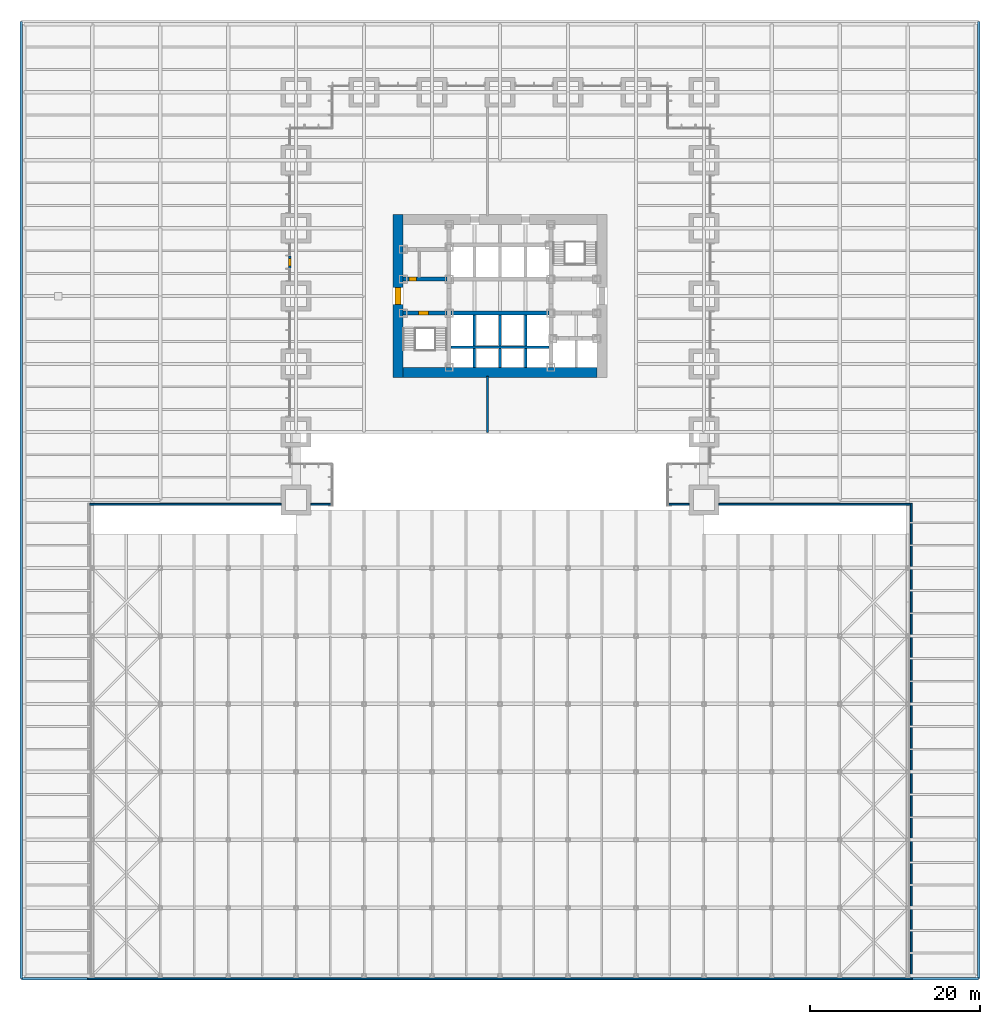
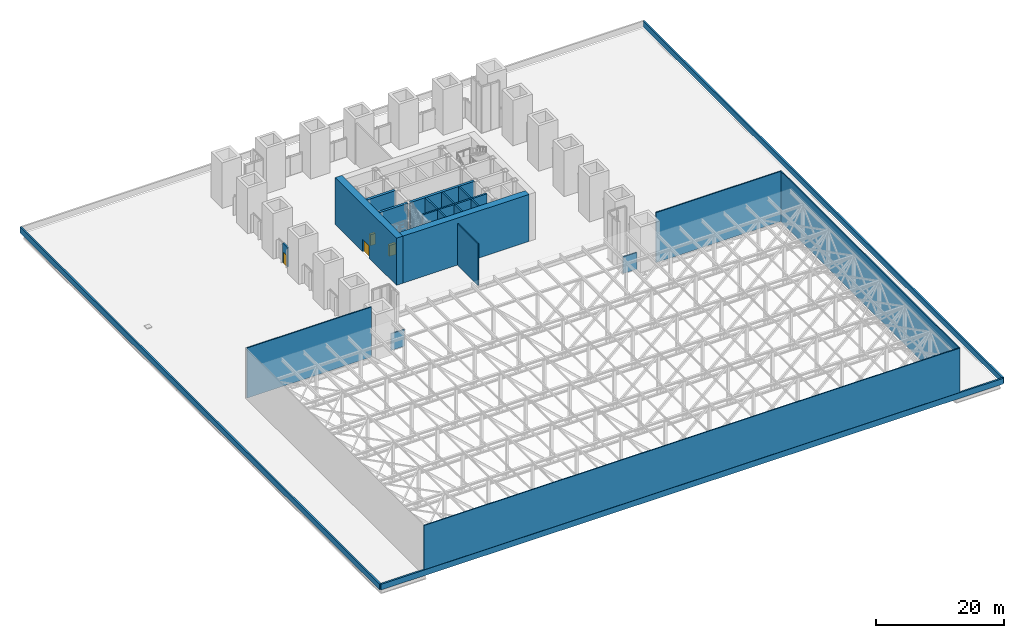
# One storey, part 16 of 20: 23 walls, 4 doors, 4 openings.
"""IFC4 building model written with IfcOpenShell, lengths in metres."""

from ifc_helpers import new_model, si_unit, direction, frame, frame_2d, origin, place, context, subcontext, project, spatial, rectangle, extrude, material, layer, layer_set, type_object, element, fill, save


model = new_model("IFC4")

# Units and contexts
model_context = context("Model", 3, precision=1e-05, world=origin(), true_north=direction((0.0, 1.0)))
body_context = subcontext(model_context, "Body", "Model", "MODEL_VIEW")
ifc_project = project(units=[si_unit("LENGTHUNIT", "METRE"), si_unit("AREAUNIT", "SQUARE_METRE"), si_unit("VOLUMEUNIT", "CUBIC_METRE"), si_unit("PLANEANGLEUNIT", "RADIAN"), si_unit("MASSUNIT", "GRAM", prefix="KILO")], contexts=[model_context])

# Site, building, storey
site_placement = place(None, origin())
site = spatial("IfcSite", under=ifc_project, at=site_placement, CompositionType="ELEMENT")
building_placement = place(site_placement, origin())
building = spatial("IfcBuilding", under=site, at=building_placement, Name="Daluyong Arena Tower", CompositionType="ELEMENT")
storey_placement = place(building_placement, frame((0.0, 0.0, 25.89990234375)))
storey = spatial("IfcBuildingStorey", under=building, at=storey_placement, Name="L05", CompositionType="ELEMENT", Elevation=25.89990234375)

# Walls
ifc_material_1 = material(Name="Insulated bronze aluminium composite panel", Category="aluminium")
ifc_layer_1 = layer(ifc_material_1, 0.199951171875)
ifc_layer_set_1 = layer_set([ifc_layer_1], Name="Insulated bronze aluminium composite panel")
wall_type_1 = type_object("IfcWallType", Name="Arena clerestory cladding wall 200", PredefinedType="SOLIDWALL", material=ifc_layer_set_1)
wall_1_placement = place(storey_placement, frame((7.5, -0.35009765625, 1.10009765625), z_axis=(0.0, 0.0, 1.0), x_axis=(1.0, 0.0, 0.0)))
element("IfcWall", 1, at=wall_1_placement, inside=storey, type_object=wall_type_1, Name="arena clerestory cladding S", PredefinedType="SOLIDWALL", context=body_context, shape_type="SweptSolid", body=[
    extrude(rectangle(XDim=97.0, YDim=0.199951171875, at=frame_2d((48.5, 0.0))), origin(), (0.0, 0.0, 1.0), 8.49072265625),
])
wall_2_placement = place(storey_placement, frame((104.39990234375, 55.60009765625, 0.0), z_axis=(0.0, 0.0, 1.0), x_axis=(0.0, -1.0, 0.0)))
element("IfcWall", 2, at=wall_2_placement, inside=storey, type_object=wall_type_1, Name="arena clerestory cladding E", PredefinedType="SOLIDWALL", context=body_context, shape_type="SweptSolid", body=[
    extrude(rectangle(XDim=55.85009765625, YDim=0.199951171875, at=frame_2d((27.925048828125, 0.0))), origin(), (0.0, 0.0, 1.0), 9.5908203125),
])
wall_3_placement = place(storey_placement, frame((30.25, 55.5, 0.0), z_axis=(0.0, 0.0, 1.0), x_axis=(-1.0, 0.0, 0.0)))
element("IfcWall", 3, at=wall_3_placement, inside=storey, type_object=wall_type_1, Name="arena clerestory cladding N1", PredefinedType="SOLIDWALL", context=body_context, shape_type="SweptSolid", body=[
    extrude(rectangle(XDim=22.550048828125, YDim=0.199951171875, at=frame_2d((11.27490234375, 0.0))), origin(), (0.0, 0.0, 1.0), 9.5908203125),
])
for number, where, z_axis, x_axis, name in (
    (4, (36.22509765625, 55.5, 0.0), (0.0, 0.0, 1.0), (-1.0, 0.0, 0.0), "arena clerestory cladding N2"),
    (5, (78.25, 55.5, 0.0), (0.0, 0.0, 1.0), (-1.0, 0.0, 0.0), "arena clerestory cladding N3"),
):
    element("IfcWall", number, at=place(storey_placement, frame(where, z_axis=z_axis, x_axis=x_axis)), inside=storey, type_object=wall_type_1, Name=name, PredefinedType="SOLIDWALL", context=body_context, shape_type="SweptSolid", body=[
        extrude(rectangle(XDim=2.47509765625, YDim=0.199951171875, at=frame_2d((1.237548828125, 0.0))), origin(), (0.0, 0.0, 1.0), 3.2001953125),
    ])
wall_4_placement = place(storey_placement, frame((104.300048828125, 55.5, 0.0), z_axis=(0.0, 0.0, 1.0), x_axis=(-1.0, 0.0, 0.0)))
element("IfcWall", 6, at=wall_4_placement, inside=storey, type_object=wall_type_1, Name="arena clerestory cladding N4", PredefinedType="SOLIDWALL", context=body_context, shape_type="SweptSolid", body=[
    extrude(rectangle(XDim=22.550048828125, YDim=0.199951171875, at=frame_2d((11.27490234375, 0.0))), origin(), (0.0, 0.0, 1.0), 9.5908203125),
])

# Wall, opening, door
ifc_material_2 = material(Name="Concrete fc' 45 MPa", Category="concrete")
ifc_layer_2 = layer(ifc_material_2, 0.449951171875)
ifc_layer_set_2 = layer_set([ifc_layer_2], Name="Concrete fc' 45 MPa")
wall_type_2 = type_object("IfcWallType", Name="Core inner wall 450", PredefinedType="SHEAR", material=ifc_layer_set_2)
wall_5_placement = place(storey_placement, frame((44.60009765625, 78.0, 0.0), z_axis=(0.0, 0.0, 1.0), x_axis=(1.0, 0.0, 0.0)))
wall_5 = element("IfcWall", 7, at=wall_5_placement, inside=storey, type_object=wall_type_2, Name="core inner wall at L05", PredefinedType="SHEAR", context=body_context, shape_type="SweptSolid", body=[
    extrude(rectangle(XDim=5.1748046875, YDim=0.449951171875, at=frame_2d((2.58740234375, 0.0))), origin(), (0.0, 0.0, 1.0), 9.0),
])
opening_1_placement = place(wall_5_placement, frame((1.800048828125, 0.0, 0.0)))
opening_1 = element("IfcOpeningElement", 8, at=opening_1_placement, cuts=wall_5, Name="Opening 05006", PredefinedType="OPENING", context=body_context, shape_type="SweptSolid", body=[
    extrude(rectangle(XDim=1.199951171875, YDim=2.10009765625, at=frame_2d((0.60009765625, 1.050048828125))), frame((0.0, 0.23486328125, 0.0), z_axis=(0.0, -1.0, 0.0), x_axis=(1.0, 0.0, 0.0)), (0.0, 0.0, 1.0), 0.469970703125),
])
ifc_material_3 = material(Name="Steel door, fire rated", Category="steel")
door_type_1 = type_object("IfcDoorType", Name="Stair door 1200", OperationType="SINGLE_SWING_LEFT", PredefinedType="DOOR", material=ifc_material_3)
door_1_placement = place(opening_1_placement, origin())
door_1 = element("IfcDoor", 9, at=door_1_placement, inside=storey, type_object=door_type_1, Name="stair A door 05006", OperationType="SINGLE_SWING_LEFT", OverallHeight=2.10009765625, OverallWidth=1.199951171875, PredefinedType="DOOR", context=body_context, shape_type="SweptSolid", body=[
    extrude(rectangle(XDim=1.199951171875, YDim=2.10009765625, at=frame_2d((0.60009765625, 1.050048828125))), frame((0.0, 0.224609375, 0.0), z_axis=(0.0, -1.0, 0.0), x_axis=(1.0, 0.0, 0.0)), (0.0, 0.0, 1.0), 0.449462890625),
])
fill(opening_1, door_1)

wall_6_placement = place(storey_placement, frame((44.60009765625, 82.0, 0.0), z_axis=(0.0, 0.0, 1.0), x_axis=(1.0, 0.0, 0.0)))
wall_6 = element("IfcWall", 10, at=wall_6_placement, inside=storey, type_object=wall_type_2, Name="core inner wall at L05", PredefinedType="SHEAR", context=body_context, shape_type="SweptSolid", body=[
    extrude(rectangle(XDim=5.1748046875, YDim=0.449951171875, at=frame_2d((2.58740234375, 0.0))), origin(), (0.0, 0.0, 1.0), 9.0),
])
opening_2_placement = place(wall_6_placement, frame((0.699951171875, 0.0, 0.0)))
opening_2 = element("IfcOpeningElement", 11, at=opening_2_placement, cuts=wall_6, Name="Opening 05001", PredefinedType="OPENING", context=body_context, shape_type="SweptSolid", body=[
    extrude(rectangle(XDim=0.89990234375, YDim=2.10009765625, at=frame_2d((0.449951171875, 1.050048828125))), frame((0.0, 0.23486328125, 0.0), z_axis=(0.0, -1.0, 0.0), x_axis=(1.0, 0.0, 0.0)), (0.0, 0.0, 1.0), 0.469970703125),
])
ifc_material_4 = material(Name="Steel door, fire rated", Category="steel")
door_type_2 = type_object("IfcDoorType", Name="Core room door 900", OperationType="SINGLE_SWING_LEFT", PredefinedType="DOOR", material=ifc_material_4)
door_2_placement = place(opening_2_placement, origin())
door_2 = element("IfcDoor", 12, at=door_2_placement, inside=storey, type_object=door_type_2, Name="toilet lobby door 05001", OperationType="SINGLE_SWING_LEFT", OverallHeight=2.10009765625, OverallWidth=0.89990234375, PredefinedType="DOOR", context=body_context, shape_type="SweptSolid", body=[
    extrude(rectangle(XDim=0.89990234375, YDim=2.10009765625, at=frame_2d((0.449951171875, 1.050048828125))), frame((0.0, 0.224609375, 0.0), z_axis=(0.0, -1.0, 0.0), x_axis=(1.0, 0.0, 0.0)), (0.0, 0.0, 1.0), 0.449462890625),
])
fill(opening_2, door_2)

# Wall
wall_7_placement = place(storey_placement, frame((50.22509765625, 78.0, 0.0), z_axis=(0.0, 0.0, 1.0), x_axis=(1.0, 0.0, 0.0)))
element("IfcWall", 13, at=wall_7_placement, inside=storey, type_object=wall_type_2, Name="core inner wall at L05", PredefinedType="SHEAR", context=body_context, shape_type="SweptSolid", body=[
    extrude(rectangle(XDim=11.5498046875, YDim=0.449951171875, at=frame_2d((5.77490234375, 0.0))), origin(), (0.0, 0.0, 1.0), 9.0),
])

# Wall, opening, door
ifc_material_5 = material(Name="Concrete fc' 60 MPa", Category="concrete")
ifc_layer_3 = layer(ifc_material_5, 1.199951171875)
ifc_layer_set_3 = layer_set([ifc_layer_3], Name="Concrete fc' 60 MPa")
wall_type_3 = type_object("IfcWallType", Name="Core wall 1200", PredefinedType="SHEAR", material=ifc_layer_set_3)
wall_8_placement = place(storey_placement, frame((44.0, 70.39990234375, 0.0), z_axis=(0.0, 0.0, 1.0), x_axis=(0.0, 1.0, 0.0)))
wall_8 = element("IfcWall", 14, at=wall_8_placement, inside=storey, type_object=wall_type_3, Name="core wall at L05", PredefinedType="SHEAR", context=body_context, shape_type="SweptSolid", body=[
    extrude(rectangle(XDim=19.2001953125, YDim=1.199951171875, at=frame_2d((9.60009765625, 0.0))), origin(), (0.0, 0.0, 1.0), 9.0),
])
opening_3_placement = place(wall_8_placement, frame((8.60009765625, 0.0, 0.0)))
opening_3 = element("IfcOpeningElement", 15, at=opening_3_placement, cuts=wall_8, Name="Opening 05008", PredefinedType="OPENING", context=body_context, shape_type="SweptSolid", body=[
    extrude(rectangle(XDim=2.0, YDim=2.39990234375, at=frame_2d((1.0, 1.199951171875))), frame((0.0, 0.60986328125, 0.0), z_axis=(0.0, -1.0, 0.0), x_axis=(1.0, 0.0, 0.0)), (0.0, 0.0, 1.0), 1.219970703125),
])
ifc_material_6 = material(Name="Steel door, fire rated", Category="steel")
door_type_3 = type_object("IfcDoorType", Name="Core lobby double door 2000", OperationType="DOUBLE_DOOR_SINGLE_SWING", PredefinedType="DOOR", material=ifc_material_6)
door_3_placement = place(opening_3_placement, origin())
door_3 = element("IfcDoor", 16, at=door_3_placement, inside=storey, type_object=door_type_3, Name="arena air handling plant room door 05008", OperationType="DOUBLE_DOOR_SINGLE_SWING", OverallHeight=2.39990234375, OverallWidth=2.0, PredefinedType="DOOR", context=body_context, shape_type="SweptSolid", body=[
    extrude(rectangle(XDim=2.0, YDim=2.39990234375, at=frame_2d((1.0, 1.199951171875))), frame((0.0, 0.35009765625, 0.0), z_axis=(0.0, -1.0, 0.0), x_axis=(1.0, 0.0, 0.0)), (0.0, 0.0, 1.0), 0.699951171875),
])
fill(opening_3, door_3)

# Walls
wall_9_placement = place(storey_placement, frame((44.60009765625, 71.0, 0.0), z_axis=(0.0, 0.0, 1.0), x_axis=(1.0, 0.0, 0.0)))
element("IfcWall", 17, at=wall_9_placement, inside=storey, type_object=wall_type_3, Name="core wall at L05", PredefinedType="SHEAR", context=body_context, shape_type="SweptSolid", body=[
    extrude(rectangle(XDim=22.7998046875, YDim=1.199951171875, at=frame_2d((11.39990234375, 0.0))), origin(), (0.0, 0.0, 1.0), 9.0),
])
ifc_material_7 = material(Name="Concrete block partition, fire rated", Category="concrete")
ifc_layer_4 = layer(ifc_material_7, 0.199951171875)
ifc_layer_set_4 = layer_set([ifc_layer_4], Name="Concrete block partition, fire rated")
wall_type_4 = type_object("IfcWallType", Name="Fire-rated partition 200", PredefinedType="PARTITIONING", material=ifc_layer_set_4)
wall_10_placement = place(storey_placement, frame((54.53857421875, 63.949951171875, 0.0), z_axis=(0.0, 0.0, 1.0), x_axis=(0.0, 1.0, 0.0)))
element("IfcWall", 18, at=wall_10_placement, inside=storey, type_object=wall_type_4, Name="refuge separation wall at L05", PredefinedType="PARTITIONING", context=body_context, shape_type="SweptSolid", body=[
    extrude(rectangle(XDim=6.60009765625, YDim=0.199951171875, at=frame_2d((3.300048828125, 0.0))), origin(), (0.0, 0.0, 1.0), 7.927978515625),
])
ifc_material_8 = material(Name="Concrete fc' 45 MPa", Category="concrete")
ifc_layer_5 = layer(ifc_material_8, 0.300048828125)
ifc_layer_set_5 = layer_set([ifc_layer_5], Name="Concrete fc' 45 MPa")
wall_type_5 = type_object("IfcWallType", Name="Lift shaft wall 300", PredefinedType="SHEAR", material=ifc_layer_set_5)
wall_11_placement = place(storey_placement, frame((50.22509765625, 74.0, 0.0), z_axis=(0.0, 0.0, 1.0), x_axis=(1.0, 0.0, 0.0)))
element("IfcWall", 19, at=wall_11_placement, inside=storey, type_object=wall_type_5, Name="lift shaft wall at L05", PredefinedType="SHEAR", context=body_context, shape_type="SweptSolid", body=[
    extrude(rectangle(XDim=11.5498046875, YDim=0.300048828125, at=frame_2d((5.77490234375, 0.0))), origin(), (0.0, 0.0, 1.0), 9.0),
])
wall_12_placement = place(storey_placement, frame((53.0, 71.60009765625, 0.0), z_axis=(0.0, 0.0, 1.0), x_axis=(0.0, 1.0, 0.0)))
element("IfcWall", 20, at=wall_12_placement, inside=storey, type_object=wall_type_5, Name="lift shaft wall at L05", PredefinedType="SHEAR", context=body_context, shape_type="SweptSolid", body=[
    extrude(rectangle(XDim=2.25, YDim=0.300048828125, at=frame_2d((1.125, 0.0))), origin(), (0.0, 0.0, 1.0), 9.0),
])
wall_13_placement = place(storey_placement, frame((53.0, 74.14990234375, 0.0), z_axis=(0.0, 0.0, 1.0), x_axis=(0.0, 1.0, 0.0)))
element("IfcWall", 21, at=wall_13_placement, inside=storey, type_object=wall_type_5, Name="lift shaft wall at L05", PredefinedType="SHEAR", context=body_context, shape_type="SweptSolid", body=[
    extrude(rectangle(XDim=3.625, YDim=0.300048828125, at=frame_2d((1.8125, 0.0))), origin(), (0.0, 0.0, 1.0), 9.0),
])
wall_14_placement = place(storey_placement, frame((56.0, 71.60009765625, 0.0), z_axis=(0.0, 0.0, 1.0), x_axis=(0.0, 1.0, 0.0)))
element("IfcWall", 22, at=wall_14_placement, inside=storey, type_object=wall_type_5, Name="lift shaft wall at L05", PredefinedType="SHEAR", context=body_context, shape_type="SweptSolid", body=[
    extrude(rectangle(XDim=2.25, YDim=0.300048828125, at=frame_2d((1.125, 0.0))), origin(), (0.0, 0.0, 1.0), 9.0),
])
wall_15_placement = place(storey_placement, frame((56.0, 74.14990234375, 0.0), z_axis=(0.0, 0.0, 1.0), x_axis=(0.0, 1.0, 0.0)))
element("IfcWall", 23, at=wall_15_placement, inside=storey, type_object=wall_type_5, Name="lift shaft wall at L05", PredefinedType="SHEAR", context=body_context, shape_type="SweptSolid", body=[
    extrude(rectangle(XDim=3.625, YDim=0.300048828125, at=frame_2d((1.8125, 0.0))), origin(), (0.0, 0.0, 1.0), 9.0),
])
wall_16_placement = place(storey_placement, frame((59.0, 71.60009765625, 0.0), z_axis=(0.0, 0.0, 1.0), x_axis=(0.0, 1.0, 0.0)))
element("IfcWall", 24, at=wall_16_placement, inside=storey, type_object=wall_type_5, Name="lift shaft wall at L05", PredefinedType="SHEAR", context=body_context, shape_type="SweptSolid", body=[
    extrude(rectangle(XDim=2.25, YDim=0.300048828125, at=frame_2d((1.125, 0.0))), origin(), (0.0, 0.0, 1.0), 9.0),
])
wall_17_placement = place(storey_placement, frame((59.0, 74.14990234375, 0.0), z_axis=(0.0, 0.0, 1.0), x_axis=(0.0, 1.0, 0.0)))
element("IfcWall", 25, at=wall_17_placement, inside=storey, type_object=wall_type_5, Name="lift shaft wall at L05", PredefinedType="SHEAR", context=body_context, shape_type="SweptSolid", body=[
    extrude(rectangle(XDim=3.625, YDim=0.300048828125, at=frame_2d((1.8125, 0.0))), origin(), (0.0, 0.0, 1.0), 9.0),
])
ifc_material_9 = material(Name="Precast concrete fc' 45 MPa", Category="concrete")
ifc_layer_6 = layer(ifc_material_9, 0.300048828125)
ifc_layer_set_6 = layer_set([ifc_layer_6], Name="Precast concrete fc' 45 MPa")
wall_type_6 = type_object("IfcWallType", Name="Podium parapet 300", PredefinedType="PARAPET", material=ifc_layer_set_6)
for number, where, z_axis, x_axis, name in (
    (26, (-0.35009765625, -0.35009765625, 0.0), (0.0, 0.0, 1.0), (1.0, 0.0, 0.0), "podium roof parapet S"),
    (27, (112.35009765625, -0.35009765625, 0.0), (0.0, 0.0, 1.0), (0.0, 1.0, 0.0), "podium roof parapet E"),
    (28, (-0.35009765625, 112.35009765625, 0.0), (0.0, 0.0, 1.0), (0.0, -1.0, 0.0), "podium roof parapet W"),
):
    element("IfcWall", number, at=place(storey_placement, frame(where, z_axis=z_axis, x_axis=x_axis)), inside=storey, type_object=wall_type_6, Name=name, PredefinedType="PARAPET", context=body_context, shape_type="SweptSolid", body=[
        extrude(rectangle(XDim=112.7001953125, YDim=0.300048828125, at=frame_2d((56.35009765625, 0.0))), origin(), (0.0, 0.0, 1.0), 1.10009765625),
    ])

# Wall, opening, door
ifc_material_10 = material(Name="Insulated bronze aluminium panel wall", Category="aluminium")
ifc_layer_7 = layer(ifc_material_10, 0.300048828125)
ifc_layer_set_7 = layer_set([ifc_layer_7], Name="Insulated bronze aluminium panel wall")
wall_type_7 = type_object("IfcWallType", Name="Roof access panel wall 300", PredefinedType="SOLIDWALL", material=ifc_layer_set_7)
wall_18_placement = place(storey_placement, frame((31.25, 84.75, 0.0), z_axis=(0.0, 0.0, 1.0), x_axis=(0.0, -1.0, 0.0)))
wall_18 = element("IfcWall", 29, at=wall_18_placement, inside=storey, type_object=wall_type_7, Name="podium roof access panel wall L05", PredefinedType="SOLIDWALL", context=body_context, shape_type="SweptSolid", body=[
    extrude(rectangle(XDim=1.5, YDim=0.300048828125, at=frame_2d((0.75, 0.0))), origin(), (0.0, 0.0, 1.0), 3.7001953125),
])
opening_4_placement = place(wall_18_placement, frame((0.300048828125, 0.0, 0.0)))
opening_4 = element("IfcOpeningElement", 30, at=opening_4_placement, cuts=wall_18, Name="Opening 05015", PredefinedType="OPENING", context=body_context, shape_type="SweptSolid", body=[
    extrude(rectangle(XDim=0.89990234375, YDim=2.10009765625, at=frame_2d((0.449951171875, 1.050048828125))), frame((0.0, 0.159912109375, 0.0), z_axis=(0.0, -1.0, 0.0), x_axis=(1.0, 0.0, 0.0)), (0.0, 0.0, 1.0), 0.320068359375),
])
ifc_material_11 = material(Name="Insulated steel door, weather sealed", Category="steel")
door_type_4 = type_object("IfcDoorType", Name="Roof access door 900", OperationType="SINGLE_SWING_RIGHT", PredefinedType="DOOR", material=ifc_material_11)
door_4_placement = place(opening_4_placement, frame((0.89990234375, 0.0, 0.0), z_axis=(0.0, 0.0, 1.0), x_axis=(-1.0, 0.0, 0.0)))
door_4 = element("IfcDoor", 31, at=door_4_placement, inside=storey, type_object=door_type_4, Name="podium roof access door 05015", OperationType="SINGLE_SWING_RIGHT", OverallHeight=2.10009765625, OverallWidth=0.89990234375, PredefinedType="DOOR", context=body_context, shape_type="SweptSolid", body=[
    extrude(rectangle(XDim=0.89990234375, YDim=2.10009765625, at=frame_2d((0.449951171875, 1.050048828125))), frame((0.0, 0.14990234375, 0.0), z_axis=(0.0, -1.0, 0.0), x_axis=(1.0, 0.0, 0.0)), (0.0, 0.0, 1.0), 0.299560546875),
])
fill(opening_4, door_4)

save(model, "model.ifc")
